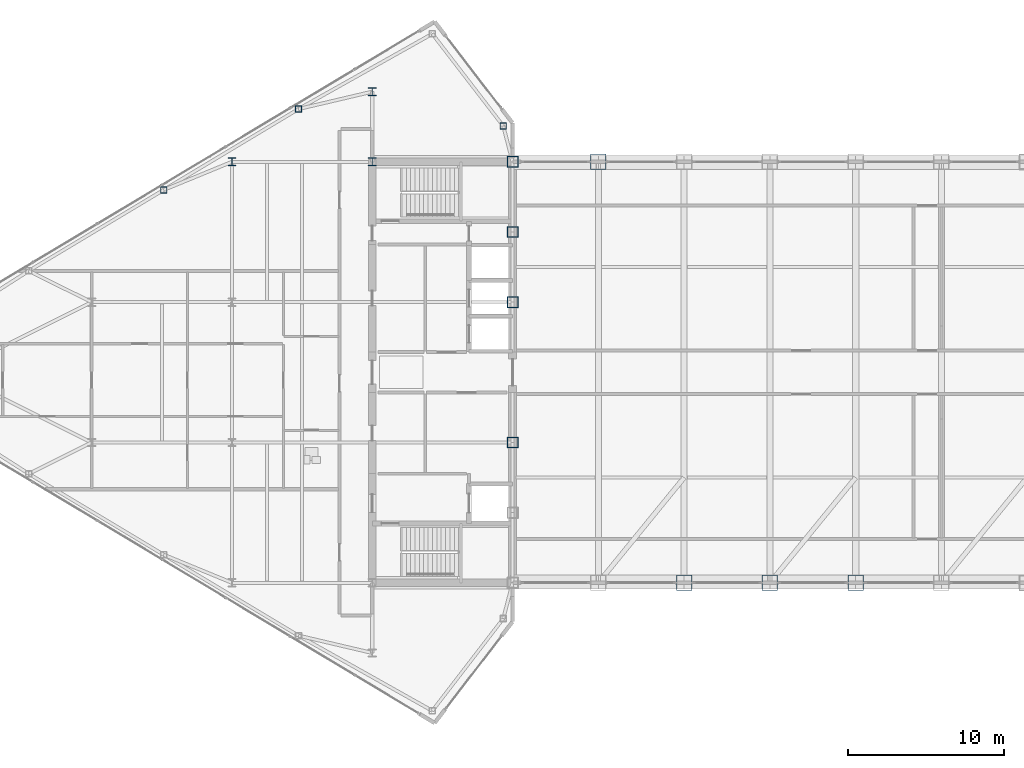
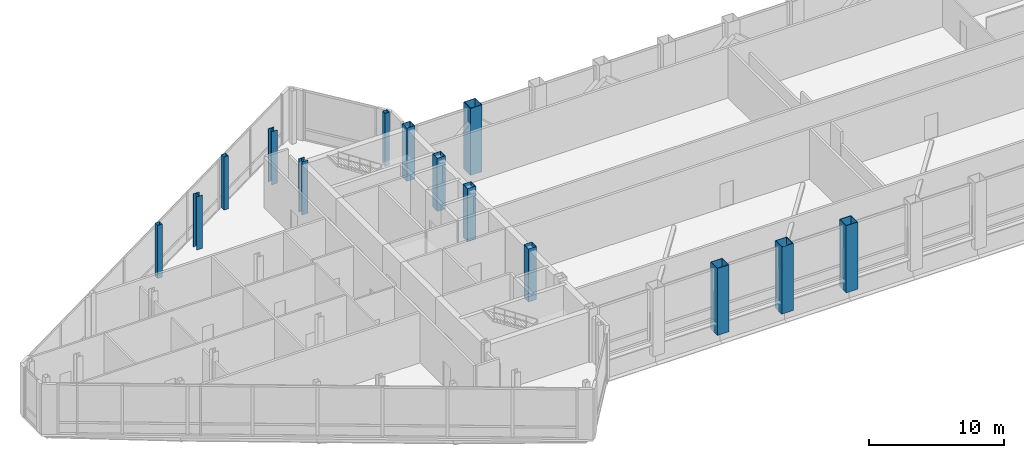
# One storey, part 2 of 29: 14 columns.
"""IFC4 building model written with IfcOpenShell, lengths in metres."""

from ifc_helpers import new_model, si_unit, direction, frame, origin, origin_2d, place, context, subcontext, project, spatial, hollow_rectangle, i_section, extrude, source, transform, mapped, material, material_profile, profile_set, type_object, type_shapes, element, save


model = new_model("IFC4")

# Units and contexts
model_context = context("Model", 3, precision=1e-05, world=origin(), true_north=direction((0.0, 1.0)))
body_context = subcontext(model_context, "Body", "Model", "MODEL_VIEW")
ifc_project = project(units=[si_unit("LENGTHUNIT", "METRE"), si_unit("AREAUNIT", "SQUARE_METRE"), si_unit("VOLUMEUNIT", "CUBIC_METRE"), si_unit("PLANEANGLEUNIT", "RADIAN"), si_unit("MASSUNIT", "GRAM", prefix="KILO")], contexts=[model_context])

# Site, building, storey
site_placement = place(None, origin())
site = spatial("IfcSite", under=ifc_project, at=site_placement, CompositionType="ELEMENT")
building_placement = place(site_placement, origin())
building = spatial("IfcBuilding", under=site, at=building_placement, Name="Seokmaru Belvedere", CompositionType="ELEMENT")
storey_placement = place(building_placement, frame((0.0, 0.0, 229.800048828125)))
storey = spatial("IfcBuildingStorey", under=building, at=storey_placement, Name="L61", CompositionType="ELEMENT", Elevation=229.800048828125)

# Columns
ifc_material_1 = material(Name="Steel SM355 (355 MPa)", Category="steel")
ifc_material_profile_1 = material_profile(ifc_material_1, hollow_rectangle(XDim=0.699951171875, YDim=0.699951171875, WallThickness=0.030029296875, at=origin_2d()), Name="BOX-700x700x30")
ifc_profile_set_1 = profile_set([ifc_material_profile_1], Name="Steel SM355 (355 MPa)")
column_type_1 = type_object("IfcColumnType", Name="Upper Spine Column BOX-700", PredefinedType="COLUMN", material=ifc_profile_set_1)
shared_shape_1 = source(origin(), body_context, "Body", "SweptSolid", [
    extrude(hollow_rectangle(XDim=0.699951171875, YDim=0.699951171875, WallThickness=0.030029296875, at=origin_2d()), origin(), (0.0, 0.0, 1.0), 4.800048828125),
])
type_shapes(column_type_1, [shared_shape_1])
for number, where, z_axis, x_axis, name in (
    (1, (-27.5, -4.5, 0.0), (0.0, 0.0, 1.0), (1.0, 0.0, 0.0), "L61 Column WS3"),
    (2, (-27.5, 4.5, 0.0), (0.0, 0.0, 1.0), (1.0, 0.0, 0.0), "L61 Column WS4"),
    (3, (-27.5, 9.0, 0.0), (0.0, 0.0, 1.0), (1.0, 0.0, 0.0), "L61 Column WS5"),
    (4, (-27.5, 13.5, 0.0), (0.0, 0.0, 1.0), (1.0, 0.0, 0.0), "L61 Column WS6"),
):
    element("IfcColumn", number, at=place(storey_placement, frame(where, z_axis=z_axis, x_axis=x_axis)), inside=storey, type_object=column_type_1, Name=name, PredefinedType="COLUMN", context=body_context, shape_type="MappedRepresentation", body=[
        mapped(shared_shape_1, transform((0.0, 0.0, 0.0), scale=1.0)),
    ])
ifc_material_profile_2 = material_profile(ifc_material_1, i_section(OverallWidth=0.5, OverallDepth=0.5, WebThickness=0.02001953125, FlangeThickness=0.031982421875, at=origin_2d()), Name="H-500x500x20x32")
ifc_profile_set_2 = profile_set([ifc_material_profile_2], Name="Steel SM355 (355 MPa)")
column_type_2 = type_object("IfcColumnType", Name="High-Rise Interior Column H-500", PredefinedType="COLUMN", material=ifc_profile_set_2)
shared_shape_2 = source(origin(), body_context, "Body", "SweptSolid", [
    extrude(i_section(OverallWidth=0.5, OverallDepth=0.5, WebThickness=0.02001953125, FlangeThickness=0.031982421875, at=origin_2d()), origin(), (0.0, 0.0, 1.0), 4.800048828125),
])
type_shapes(column_type_2, [shared_shape_2])
for number, where, z_axis, x_axis, name in (
    (5, (-36.5, 13.5, 0.0), (0.0, 0.0, 1.0), (1.0, 0.0, 0.0), "L61 Column WC3"),
    (6, (-36.5, 18.0, 0.0), (0.0, 0.0, 1.0), (1.0, 0.0, 0.0), "L61 Column WC4"),
    (7, (-45.5, 13.5, 0.0), (0.0, 0.0, 1.0), (1.0, 0.0, 0.0), "L61 Column WG5_4"),
):
    element("IfcColumn", number, at=place(storey_placement, frame(where, z_axis=z_axis, x_axis=x_axis)), inside=storey, type_object=column_type_2, Name=name, PredefinedType="COLUMN", context=body_context, shape_type="MappedRepresentation", body=[
        mapped(shared_shape_2, transform((0.0, 0.0, 0.0), scale=1.0)),
    ])
ifc_material_profile_3 = material_profile(ifc_material_1, hollow_rectangle(XDim=0.39990234375, YDim=0.39990234375, WallThickness=0.01611328125, at=origin_2d()), Name="HSS-400x400x16")
ifc_profile_set_3 = profile_set([ifc_material_profile_3], Name="Steel SM355 (355 MPa)")
column_type_3 = type_object("IfcColumnType", Name="Perimeter Facet Column HSS-400", PredefinedType="COLUMN", material=ifc_profile_set_3)
shared_shape_3 = source(origin(), body_context, "Body", "SweptSolid", [
    extrude(hollow_rectangle(XDim=0.39990234375, YDim=0.39990234375, WallThickness=0.01611328125, at=origin_2d()), origin(), (0.0, 0.0, 1.0), 4.800048828125),
])
type_shapes(column_type_3, [shared_shape_3])
for number, where, z_axis, x_axis, name in (
    (8, (-28.10009765625, 15.7958984375, 0.0), (0.0, 0.0, 1.0), (1.0, 0.0, 0.0), "L61 Column WF2"),
    (9, (-41.229736328125, 16.888916015625, 0.0), (0.0, 0.0, 1.0), (1.0, 0.0, 0.0), "L61 Column WFLK_N1"),
    (10, (-49.8798828125, 11.698974609375, 0.0), (0.0, 0.0, 1.0), (1.0, 0.0, 0.0), "L61 Column WFLK_N2"),
):
    element("IfcColumn", number, at=place(storey_placement, frame(where, z_axis=z_axis, x_axis=x_axis)), inside=storey, type_object=column_type_3, Name=name, PredefinedType="COLUMN", context=body_context, shape_type="MappedRepresentation", body=[
        mapped(shared_shape_3, transform((0.0, 0.0, 0.0), scale=1.0)),
    ])
ifc_material_2 = material(Name="Steel HSA650 (650 MPa)", Category="steel")
ifc_material_profile_4 = material_profile(ifc_material_2, hollow_rectangle(XDim=1.0, YDim=1.0, WallThickness=0.0419921875, at=origin_2d()), Name="BOX-1000x1000x42")
ifc_profile_set_4 = profile_set([ifc_material_profile_4], Name="Steel HSA650 (650 MPa)")
column_type_4 = type_object("IfcColumnType", Name="Portal Spine Column BOX-1000", PredefinedType="COLUMN", material=ifc_profile_set_4)
shared_shape_4 = source(origin(), body_context, "Body", "SweptSolid", [
    extrude(hollow_rectangle(XDim=1.0, YDim=1.0, WallThickness=0.0419921875, at=origin_2d()), origin(), (0.0, 0.0, 1.0), 6.06005859375),
])
type_shapes(column_type_4, [shared_shape_4])
for number, where, z_axis, x_axis, name in (
    (11, (-22.0, 13.5, -1.260009765625), (0.0, 0.0, 1.0), (1.0, 0.0, 0.0), "L61 Column BRN_1"),
    (12, (-16.5, -13.5, -1.260009765625), (0.0, 0.0, 1.0), (1.0, 0.0, 0.0), "L61 Column BRS_2"),
    (13, (-11.0, -13.5, -1.260009765625), (0.0, 0.0, 1.0), (1.0, 0.0, 0.0), "L61 Column BRS_3"),
    (14, (-5.5, -13.5, -1.260009765625), (0.0, 0.0, 1.0), (1.0, 0.0, 0.0), "L61 Column BRS_4"),
):
    element("IfcColumn", number, at=place(storey_placement, frame(where, z_axis=z_axis, x_axis=x_axis)), inside=storey, type_object=column_type_4, Name=name, PredefinedType="COLUMN", context=body_context, shape_type="MappedRepresentation", body=[
        mapped(shared_shape_4, transform((0.0, 0.0, 0.0), scale=1.0)),
    ])

save(model, "model.ifc")
